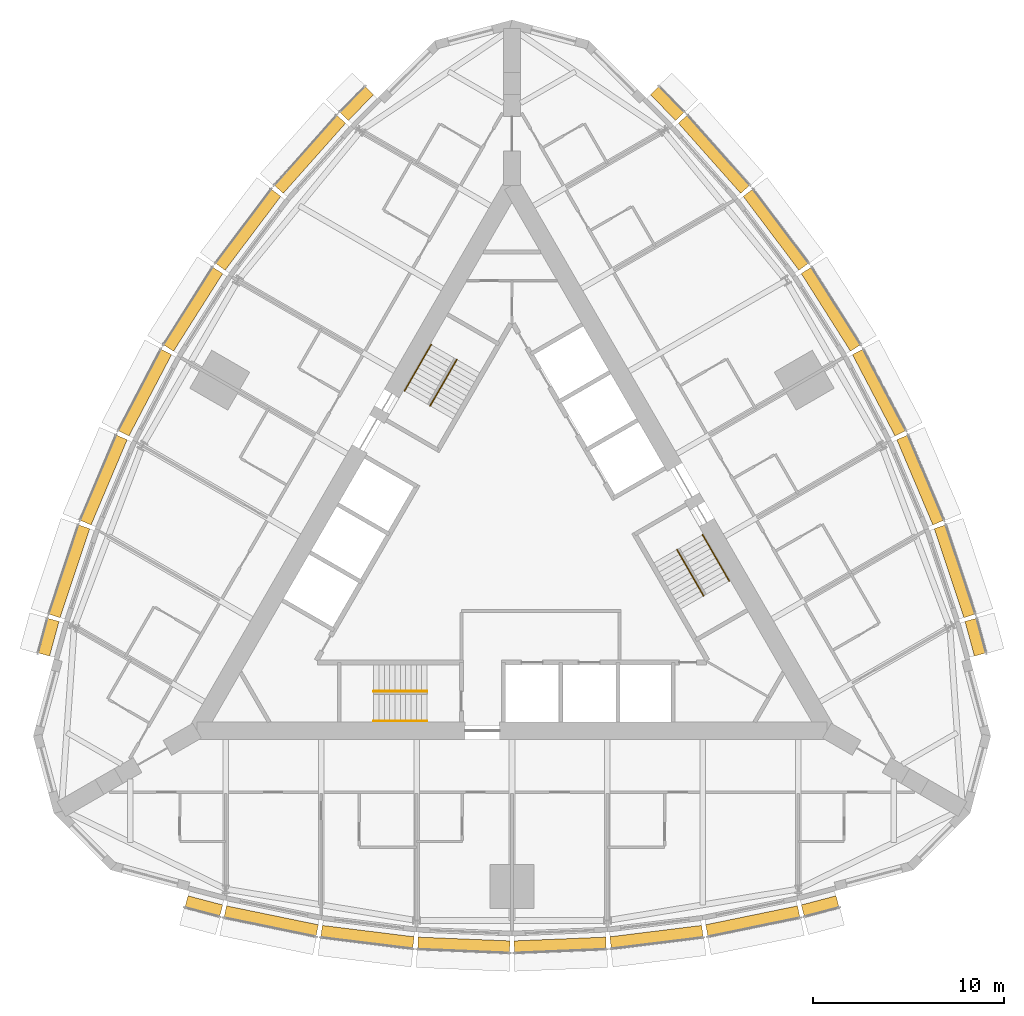
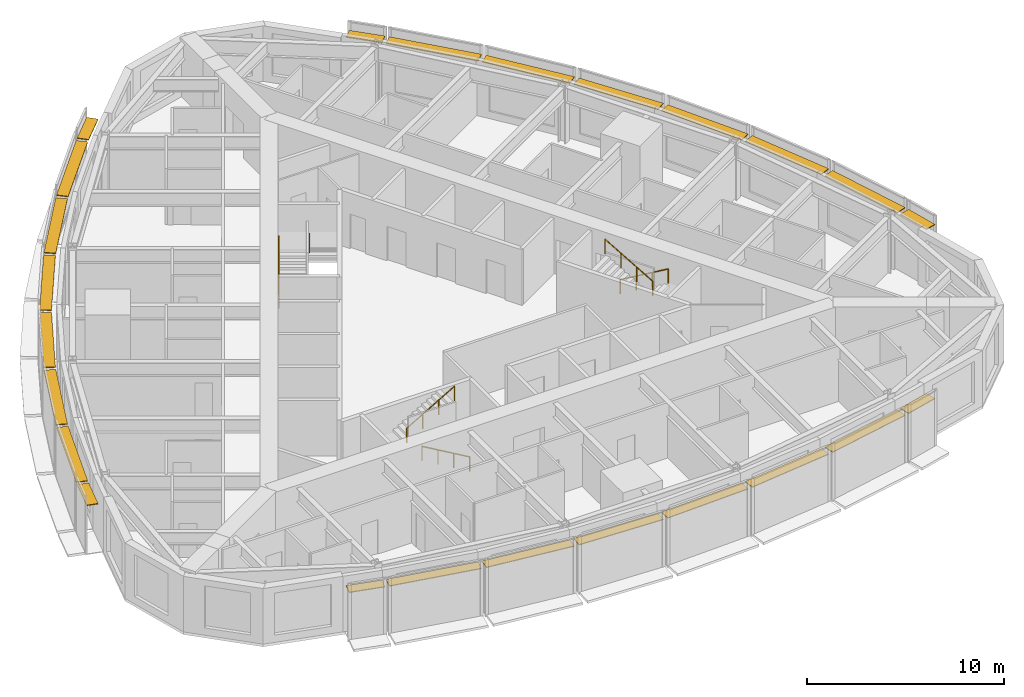
# One storey, part 15 of 15: 24 shading devices, 6 railings.
"""IFC4 building model written with IfcOpenShell, lengths in metres."""

import ifcopenshell
import ifcopenshell.guid

model = None  # the IFC model being written
_history = None  # IfcOwnerHistory: only IFC2X3 demands one
_inside = {}  # id of a spatial element -> (the spatial element, [elements in it])
_under = {}  # id of a project, library or spatial element -> (it, [spatial elements below it])
_declared = {}  # id of a project -> (the project, [libraries it declares])
_typed = {}  # id of a type object -> (the type object, [elements of that type])
_made_of = {}  # id of a material, layer set ... -> (it, [elements and type objects made of it])


def new_model(schema):
    """Start an empty IFC model of exactly this schema.

    Asked for "IFC4X3", IfcOpenShell would pick the latest addendum, in which some entities
    have other attributes; the version numbers below select the first issue.
    IFC2X3 requires an IfcOwnerHistory on every rooted entity: one is made here for all.
    """
    global model, _history
    if schema == "IFC4X3":
        model = ifcopenshell.file(schema_version=(4, 3, 0, 0))
    else:
        model = ifcopenshell.file(schema=schema)
    _inside.clear()
    _under.clear()
    _declared.clear()
    _typed.clear()
    _made_of.clear()
    _history = None
    if model.schema == "IFC2X3":
        org = make("IfcOrganization", Name="unknown")
        user = make(
            "IfcPersonAndOrganization",
            ThePerson=make("IfcPerson", FamilyName="unknown"),
            TheOrganization=org,
        )
        app = make(
            "IfcApplication",
            ApplicationDeveloper=org,
            Version="unknown",
            ApplicationFullName="unknown",
            ApplicationIdentifier="unknown",
        )
        _history = make(
            "IfcOwnerHistory",
            OwningUser=user,
            OwningApplication=app,
            ChangeAction="ADDED",
            CreationDate=0,
        )
    return model


def make(cls, **values):
    """One entity of the class cls with the attributes given. An attribute that is None is left unset."""
    return model.create_entity(
        cls, **{name: value for name, value in values.items() if value is not None}
    )


def rooted(cls, **values):
    """An entity with a GlobalId (a new one), such as an element, a storey or a relation."""
    return make(cls, GlobalId=ifcopenshell.guid.new(), OwnerHistory=_history, **values)


def si_unit(unit_type, name, prefix=None):
    """IfcSIUnit, for example si_unit("LENGTHUNIT", "METRE", prefix="MILLI")."""
    return make("IfcSIUnit", UnitType=unit_type, Prefix=prefix, Name=name)


def assignment(units):
    """IfcUnitAssignment: the units of a project."""
    return None if units is None else make("IfcUnitAssignment", Units=units)


def point(xyz):
    """IfcCartesianPoint."""
    return None if xyz is None else make("IfcCartesianPoint", Coordinates=xyz)


def direction(xyz):
    """IfcDirection."""
    return None if xyz is None else make("IfcDirection", DirectionRatios=xyz)


def frame(location, z_axis=None, x_axis=None):
    """IfcAxis2Placement3D, a coordinate frame: its origin and axes. An axis left out is left unset."""
    return make(
        "IfcAxis2Placement3D",
        Location=point(location),
        Axis=direction(z_axis),
        RefDirection=direction(x_axis),
    )


def frame_2d(location, x_axis=None):
    """IfcAxis2Placement2D, a coordinate frame in the plane: its origin and x axis."""
    return make(
        "IfcAxis2Placement2D", Location=point(location), RefDirection=direction(x_axis)
    )


def origin():
    """The frame at (0, 0, 0) with its axes left unset."""
    return frame((0.0, 0.0, 0.0))


def origin_2d():
    """The frame at (0, 0) in the plane with its x axis left unset."""
    return frame_2d((0.0, 0.0))


def place(relative_to, where):
    """IfcLocalPlacement: puts the frame where relative to a parent placement (None: the world)."""
    return make(
        "IfcLocalPlacement", PlacementRelTo=relative_to, RelativePlacement=where
    )


def context(
    kind, dimensions, precision=None, world=None, true_north=None, identifier=None
):
    """IfcGeometricRepresentationContext, for example the 3D "Model" context."""
    return make(
        "IfcGeometricRepresentationContext",
        ContextIdentifier=identifier,
        ContextType=kind,
        CoordinateSpaceDimension=dimensions,
        Precision=precision,
        WorldCoordinateSystem=world,
        TrueNorth=true_north,
    )


def subcontext(parent, identifier, kind, view, scale=None):
    """IfcGeometricRepresentationSubContext, for example "Body" below "Model"."""
    return make(
        "IfcGeometricRepresentationSubContext",
        ContextIdentifier=identifier,
        ContextType=kind,
        ParentContext=parent,
        TargetScale=scale,
        TargetView=view,
    )


def project(units=None, contexts=None):
    """IfcProject with its units and contexts."""
    return rooted(
        "IfcProject",
        Name="project",
        RepresentationContexts=contexts,
        UnitsInContext=assignment(units),
    )


def spatial(cls, under=None, at=None, **own):
    """A site, building, storey or space (cls), placed at a placement, below another one or the project."""
    s = rooted(cls, ObjectPlacement=at, **own)
    if under is not None:
        _under.setdefault(under.id(), (under, []))[1].append(s)
    return s


def profile(cls, at=None, kind="AREA", **sizes):
    """A parametric profile (cls). Its sizes go by their IFC names, for example OverallWidth=200.0."""
    return make(cls, ProfileType=kind, Position=at, **sizes)


def rectangle(**sizes):
    """IfcRectangleProfileDef."""
    return profile("IfcRectangleProfileDef", **sizes)


def circle(**sizes):
    """IfcCircleProfileDef."""
    return profile("IfcCircleProfileDef", **sizes)


def extrude(swept, where, along, depth):
    """IfcExtrudedAreaSolid: the profile swept, set in the frame where, extruded along a direction by depth."""
    return make(
        "IfcExtrudedAreaSolid",
        SweptArea=swept,
        Position=where,
        ExtrudedDirection=direction(along),
        Depth=depth,
    )


def shape(context_of_items, identifier, shape_type, items):
    """IfcShapeRepresentation: the items that make up one representation, for example the "Body"."""
    return make(
        "IfcShapeRepresentation",
        ContextOfItems=context_of_items,
        RepresentationIdentifier=identifier,
        RepresentationType=shape_type,
        Items=items,
    )


def material(Name=None, Category=None):
    """IfcMaterial."""
    return make("IfcMaterial", Name=Name, Category=Category)


def made_of(thing, what):
    """Note that an element or type object is made of a material, layer set ...; save() writes the relation."""
    if what is not None:
        _made_of.setdefault(what.id(), (what, []))[1].append(thing)
    return thing


def type_object(cls, material=None, **own):
    """A type object (cls), such as IfcWallType, which elements share."""
    return made_of(rooted(cls, **own), material)


def element(
    cls,
    number,
    at=None,
    inside=None,
    cuts=None,
    type_object=None,
    material=None,
    context=None,
    identifier="Body",
    shape_type=None,
    held_by="IfcProductDefinitionShape",
    body=None,
    shapes=None,
    **own,
):
    """One element of the class cls, such as IfcWall. Its Tag is "e" and its number.

    at: its placement. inside: the storey or other place that contains it. cuts: it is an
    opening in that element (IfcRelVoidsElement). A single representation is given by context,
    identifier, shape_type and body (its items); several are given by shapes. held_by: the class
    of the entity that holds the representations. save() writes the other relations.
    """
    e = rooted(cls, Tag="e%d" % number, ObjectPlacement=at, **own)
    if body is not None:
        shapes = [shape(context, identifier, shape_type, body)]
    if shapes is not None:
        e.Representation = make(held_by, Representations=shapes)
    if inside is not None:
        _inside.setdefault(inside.id(), (inside, []))[1].append(e)
    if cuts is not None:
        rooted(
            "IfcRelVoidsElement", RelatingBuildingElement=cuts, RelatedOpeningElement=e
        )
    if type_object is not None:
        _typed.setdefault(type_object.id(), (type_object, []))[1].append(e)
    return made_of(e, material)


def aggregate(whole, parts):
    """IfcRelAggregates: a whole, such as a stair, and the parts it consists of."""
    return rooted("IfcRelAggregates", RelatingObject=whole, RelatedObjects=parts)


def save(model, path):
    """Write the relations noted so far, then the file.

    IfcRelAggregates (storeys below a building ...), IfcRelContainedInSpatialStructure (elements
    in a storey), IfcRelDefinesByType, IfcRelAssociatesMaterial and IfcRelDeclares: one each for
    every whole, place, type object, material and project.
    """
    for whole, parts in _under.values():
        aggregate(whole, parts)
    for where, things in _inside.values():
        rooted(
            "IfcRelContainedInSpatialStructure",
            RelatedElements=things,
            RelatingStructure=where,
        )
    for kind, things in _typed.values():
        rooted("IfcRelDefinesByType", RelatedObjects=things, RelatingType=kind)
    for what, things in _made_of.values():
        rooted("IfcRelAssociatesMaterial", RelatedObjects=things, RelatingMaterial=what)
    for by, libraries in _declared.values():
        rooted("IfcRelDeclares", RelatingContext=by, RelatedDefinitions=libraries)
    model.write(path)


model = new_model("IFC4")

# Units and contexts
model_context = context("Model", 3, precision=1e-05, world=origin(), true_north=direction((0.0, 1.0)))
body_context = subcontext(model_context, "Body", "Model", "MODEL_VIEW")
ifc_project = project(units=[si_unit("LENGTHUNIT", "METRE"), si_unit("AREAUNIT", "SQUARE_METRE"), si_unit("VOLUMEUNIT", "CUBIC_METRE"), si_unit("PLANEANGLEUNIT", "RADIAN"), si_unit("MASSUNIT", "GRAM", prefix="KILO")], contexts=[model_context])

# Site, building, storey
site_placement = place(None, origin())
site = spatial("IfcSite", under=ifc_project, at=site_placement, CompositionType="ELEMENT")
building_placement = place(site_placement, origin())
building = spatial("IfcBuilding", under=site, at=building_placement, Name="Trikona Tower", CompositionType="ELEMENT")
storey_placement = place(building_placement, frame((0.0, 0.0, 200.89990234375)))
storey = spatial("IfcBuildingStorey", under=building, at=storey_placement, Name="L53", CompositionType="ELEMENT", Elevation=200.89990234375)

# Shading devices
ifc_material_1 = material(Name="Aluminium louvre blade, pale anodised", Category="aluminium")
shading_device_type = type_object("IfcShadingDeviceType", Name="Cavity louvre 600", PredefinedType="USERDEFINED", material=ifc_material_1)
shading_device_1_placement = place(storey_placement, frame((-16.14404296875, -18.707763671875, 2.97509765625), z_axis=(0.0, 0.0, 1.0), x_axis=(0.966993038714, -0.254802792527, 0.0)))
element("IfcShadingDevice", 1, at=shading_device_1_placement, inside=storey, type_object=shading_device_type, Name="Cavity louvre L53-00", ObjectType="LOUVRE", PredefinedType="USERDEFINED", context=body_context, shape_type="SweptSolid", body=[
    extrude(rectangle(XDim=1.87841796875, YDim=0.60009765625, at=origin_2d()), origin(), (0.0, 0.0, 1.0), 0.050048828125),
])
shading_device_2_placement = place(storey_placement, frame((-12.614013671875, -19.492919921875, 2.97509765625), z_axis=(0.0, 0.0, 1.0), x_axis=(0.979457514864, -0.201650629992, 0.0)))
element("IfcShadingDevice", 2, at=shading_device_2_placement, inside=storey, type_object=shading_device_type, Name="Cavity louvre L53-01", ObjectType="LOUVRE", PredefinedType="USERDEFINED", context=body_context, shape_type="SweptSolid", body=[
    extrude(rectangle(XDim=4.914794921875, YDim=0.60009765625, at=origin_2d()), origin(), (0.0, 0.0, 1.0), 0.050048828125),
])
shading_device_3_placement = place(storey_placement, frame((-7.5693359375, -20.323974609375, 2.97509765625), z_axis=(0.0, 0.0, 1.0), x_axis=(0.992455266199, -0.122607277901, 0.0)))
element("IfcShadingDevice", 3, at=shading_device_3_placement, inside=storey, type_object=shading_device_type, Name="Cavity louvre L53-02", ObjectType="LOUVRE", PredefinedType="USERDEFINED", context=body_context, shape_type="SweptSolid", body=[
    extrude(rectangle(XDim=4.847900390625, YDim=0.60009765625, at=origin_2d()), origin(), (0.0, 0.0, 1.0), 0.050048828125),
])
for number, where, z_axis, x_axis, name in (
    (4, (-2.523193359375, -20.739501953125, 2.97509765625), (0.0, 0.0, 1.0), (0.999153186307, -0.041144991109, 0.0), "Cavity louvre L53-03"),
    (5, (2.523193359375, -20.739501953125, 2.97509765625), (0.0, 0.0, 1.0), (0.999153186307, 0.041144991109, 0.0), "Cavity louvre L53-04"),
):
    element("IfcShadingDevice", number, at=place(storey_placement, frame(where, z_axis=z_axis, x_axis=x_axis)), inside=storey, type_object=shading_device_type, Name=name, ObjectType="LOUVRE", PredefinedType="USERDEFINED", context=body_context, shape_type="SweptSolid", body=[
        extrude(rectangle(XDim=4.814208984375, YDim=0.60009765625, at=origin_2d()), origin(), (0.0, 0.0, 1.0), 0.050048828125),
    ])
shading_device_4_placement = place(storey_placement, frame((7.5693359375, -20.323974609375, 2.97509765625), z_axis=(0.0, 0.0, 1.0), x_axis=(0.992455266199, 0.122607277901, 0.0)))
element("IfcShadingDevice", 6, at=shading_device_4_placement, inside=storey, type_object=shading_device_type, Name="Cavity louvre L53-05", ObjectType="LOUVRE", PredefinedType="USERDEFINED", context=body_context, shape_type="SweptSolid", body=[
    extrude(rectangle(XDim=4.847900390625, YDim=0.60009765625, at=origin_2d()), origin(), (0.0, 0.0, 1.0), 0.050048828125),
])
shading_device_5_placement = place(storey_placement, frame((12.614013671875, -19.492919921875, 2.97509765625), z_axis=(0.0, 0.0, 1.0), x_axis=(0.979457514864, 0.201650629992, 0.0)))
element("IfcShadingDevice", 7, at=shading_device_5_placement, inside=storey, type_object=shading_device_type, Name="Cavity louvre L53-06", ObjectType="LOUVRE", PredefinedType="USERDEFINED", context=body_context, shape_type="SweptSolid", body=[
    extrude(rectangle(XDim=4.914794921875, YDim=0.60009765625, at=origin_2d()), origin(), (0.0, 0.0, 1.0), 0.050048828125),
])
for number, where, z_axis, x_axis, name in (
    (8, (16.14404296875, -18.707763671875, 2.97509765625), (0.0, 0.0, 1.0), (0.966993038714, 0.254802792527, 0.0), "Cavity louvre L53-07"),
    (9, (24.273193359375, -4.627197265625, 2.97509765625), (0.0, 0.0, 1.0), (-0.262822408229, 0.964844226667, 0.0), "Cavity louvre L53-12"),
):
    element("IfcShadingDevice", number, at=place(storey_placement, frame(where, z_axis=z_axis, x_axis=x_axis)), inside=storey, type_object=shading_device_type, Name=name, ObjectType="LOUVRE", PredefinedType="USERDEFINED", context=body_context, shape_type="SweptSolid", body=[
        extrude(rectangle(XDim=1.87841796875, YDim=0.60009765625, at=origin_2d()), origin(), (0.0, 0.0, 1.0), 0.050048828125),
    ])
shading_device_6_placement = place(storey_placement, frame((23.1884765625, -1.177490234375, 2.97509765625), z_axis=(0.0, 0.0, 1.0), x_axis=(-0.315092532747, 0.949060954737, 0.0)))
element("IfcShadingDevice", 10, at=shading_device_6_placement, inside=storey, type_object=shading_device_type, Name="Cavity louvre L53-13", ObjectType="LOUVRE", PredefinedType="USERDEFINED", context=body_context, shape_type="SweptSolid", body=[
    extrude(rectangle(XDim=4.914794921875, YDim=0.60009765625, at=origin_2d()), origin(), (0.0, 0.0, 1.0), 0.050048828125),
])
shading_device_7_placement = place(storey_placement, frame((21.385498046875, 3.606689453125, 2.97509765625), z_axis=(0.0, 0.0, 1.0), x_axis=(-0.390051437015, 0.920793069306, 0.0)))
element("IfcShadingDevice", 11, at=shading_device_7_placement, inside=storey, type_object=shading_device_type, Name="Cavity louvre L53-14", ObjectType="LOUVRE", PredefinedType="USERDEFINED", context=body_context, shape_type="SweptSolid", body=[
    extrude(rectangle(XDim=4.847900390625, YDim=0.60009765625, at=origin_2d()), origin(), (0.0, 0.0, 1.0), 0.050048828125),
])
for number, where, z_axis, x_axis, name in (
    (12, (19.222412109375, 8.1845703125, 2.97509765625), (0.0, 0.0, 1.0), (-0.463951716224, 0.885860488459, 0.0), "Cavity louvre L53-15"),
    (13, (16.69921875, 12.554931640625, 2.97509765625), (0.0, 0.0, 1.0), (-0.535204777743, 0.844722348397, 0.0), "Cavity louvre L53-16"),
):
    element("IfcShadingDevice", number, at=place(storey_placement, frame(where, z_axis=z_axis, x_axis=x_axis)), inside=storey, type_object=shading_device_type, Name=name, ObjectType="LOUVRE", PredefinedType="USERDEFINED", context=body_context, shape_type="SweptSolid", body=[
        extrude(rectangle(XDim=4.814208984375, YDim=0.60009765625, at=origin_2d()), origin(), (0.0, 0.0, 1.0), 0.050048828125),
    ])
shading_device_8_placement = place(storey_placement, frame((13.81640625, 16.717041015625, 2.97509765625), z_axis=(0.0, 0.0, 1.0), x_axis=(-0.602401684924, 0.798193090674, 0.0)))
element("IfcShadingDevice", 14, at=shading_device_8_placement, inside=storey, type_object=shading_device_type, Name="Cavity louvre L53-17", ObjectType="LOUVRE", PredefinedType="USERDEFINED", context=body_context, shape_type="SweptSolid", body=[
    extrude(rectangle(XDim=4.847900390625, YDim=0.60009765625, at=origin_2d()), origin(), (0.0, 0.0, 1.0), 0.050048828125),
])
shading_device_9_placement = place(storey_placement, frame((10.574462890625, 20.67041015625, 2.97509765625), z_axis=(0.0, 0.0, 1.0), x_axis=(-0.664367239113, 0.747406296196, 0.0)))
element("IfcShadingDevice", 15, at=shading_device_9_placement, inside=storey, type_object=shading_device_type, Name="Cavity louvre L53-18", ObjectType="LOUVRE", PredefinedType="USERDEFINED", context=body_context, shape_type="SweptSolid", body=[
    extrude(rectangle(XDim=4.914794921875, YDim=0.60009765625, at=origin_2d()), origin(), (0.0, 0.0, 1.0), 0.050048828125),
])
for number, where, z_axis, x_axis, name in (
    (16, (8.12939453125, 23.3349609375, 2.97509765625), (0.0, 0.0, 1.0), (-0.704151057285, 0.710050201412, 0.0), "Cavity louvre L53-19"),
    (17, (-8.12939453125, 23.3349609375, 2.97509765625), (0.0, 0.0, 1.0), (-0.704151057285, -0.710050201412, 0.0), "Cavity louvre L53-24"),
):
    element("IfcShadingDevice", number, at=place(storey_placement, frame(where, z_axis=z_axis, x_axis=x_axis)), inside=storey, type_object=shading_device_type, Name=name, ObjectType="LOUVRE", PredefinedType="USERDEFINED", context=body_context, shape_type="SweptSolid", body=[
        extrude(rectangle(XDim=1.87841796875, YDim=0.60009765625, at=origin_2d()), origin(), (0.0, 0.0, 1.0), 0.050048828125),
    ])
shading_device_10_placement = place(storey_placement, frame((-10.574462890625, 20.67041015625, 2.97509765625), z_axis=(0.0, 0.0, 1.0), x_axis=(-0.664367239113, -0.747406296196, 0.0)))
element("IfcShadingDevice", 18, at=shading_device_10_placement, inside=storey, type_object=shading_device_type, Name="Cavity louvre L53-25", ObjectType="LOUVRE", PredefinedType="USERDEFINED", context=body_context, shape_type="SweptSolid", body=[
    extrude(rectangle(XDim=4.914794921875, YDim=0.60009765625, at=origin_2d()), origin(), (0.0, 0.0, 1.0), 0.050048828125),
])
shading_device_11_placement = place(storey_placement, frame((-13.81640625, 16.717041015625, 2.97509765625), z_axis=(0.0, 0.0, 1.0), x_axis=(-0.602401684924, -0.798193090674, 0.0)))
element("IfcShadingDevice", 19, at=shading_device_11_placement, inside=storey, type_object=shading_device_type, Name="Cavity louvre L53-26", ObjectType="LOUVRE", PredefinedType="USERDEFINED", context=body_context, shape_type="SweptSolid", body=[
    extrude(rectangle(XDim=4.847900390625, YDim=0.60009765625, at=origin_2d()), origin(), (0.0, 0.0, 1.0), 0.050048828125),
])
for number, where, z_axis, x_axis, name in (
    (20, (-16.69921875, 12.554931640625, 2.97509765625), (0.0, 0.0, 1.0), (-0.535204777743, -0.844722348397, 0.0), "Cavity louvre L53-27"),
    (21, (-19.222412109375, 8.1845703125, 2.97509765625), (0.0, 0.0, 1.0), (-0.463951716224, -0.885860488459, 0.0), "Cavity louvre L53-28"),
):
    element("IfcShadingDevice", number, at=place(storey_placement, frame(where, z_axis=z_axis, x_axis=x_axis)), inside=storey, type_object=shading_device_type, Name=name, ObjectType="LOUVRE", PredefinedType="USERDEFINED", context=body_context, shape_type="SweptSolid", body=[
        extrude(rectangle(XDim=4.814208984375, YDim=0.60009765625, at=origin_2d()), origin(), (0.0, 0.0, 1.0), 0.050048828125),
    ])
shading_device_12_placement = place(storey_placement, frame((-21.385498046875, 3.606689453125, 2.97509765625), z_axis=(0.0, 0.0, 1.0), x_axis=(-0.390051437015, -0.920793069306, 0.0)))
element("IfcShadingDevice", 22, at=shading_device_12_placement, inside=storey, type_object=shading_device_type, Name="Cavity louvre L53-29", ObjectType="LOUVRE", PredefinedType="USERDEFINED", context=body_context, shape_type="SweptSolid", body=[
    extrude(rectangle(XDim=4.847900390625, YDim=0.60009765625, at=origin_2d()), origin(), (0.0, 0.0, 1.0), 0.050048828125),
])
shading_device_13_placement = place(storey_placement, frame((-23.1884765625, -1.177490234375, 2.97509765625), z_axis=(0.0, 0.0, 1.0), x_axis=(-0.315092532747, -0.949060954737, 0.0)))
element("IfcShadingDevice", 23, at=shading_device_13_placement, inside=storey, type_object=shading_device_type, Name="Cavity louvre L53-30", ObjectType="LOUVRE", PredefinedType="USERDEFINED", context=body_context, shape_type="SweptSolid", body=[
    extrude(rectangle(XDim=4.914794921875, YDim=0.60009765625, at=origin_2d()), origin(), (0.0, 0.0, 1.0), 0.050048828125),
])
shading_device_14_placement = place(storey_placement, frame((-24.273193359375, -4.627197265625, 2.97509765625), z_axis=(0.0, 0.0, 1.0), x_axis=(-0.262822408229, -0.964844226667, 0.0)))
element("IfcShadingDevice", 24, at=shading_device_14_placement, inside=storey, type_object=shading_device_type, Name="Cavity louvre L53-31", ObjectType="LOUVRE", PredefinedType="USERDEFINED", context=body_context, shape_type="SweptSolid", body=[
    extrude(rectangle(XDim=1.87841796875, YDim=0.60009765625, at=origin_2d()), origin(), (0.0, 0.0, 1.0), 0.050048828125),
])

# Railings
ifc_material_2 = material(Name="Stainless steel handrail", Category="steel")
railing_type = type_object("IfcRailingType", Name="Stair handrail", PredefinedType="HANDRAIL", material=ifc_material_2)
railing_1_placement = place(storey_placement, frame((-4.449951171875, -9.016357421875, 0.163818359375)))
element("IfcRailing", 25, at=railing_1_placement, inside=storey, type_object=railing_type, Name="Stair handrail A L53 1", PredefinedType="HANDRAIL", context=body_context, shape_type="SweptSolid", body=[
    extrude(circle(Radius=0.02392578125, at=origin_2d()), frame((0.0, 0.0, 0.8759765625), z_axis=(-0.863393664356, 0.0, 0.504530851732), x_axis=(0.0, -1.0, 0.0)), (0.0, 0.0, 1.0), 3.2431640625),
    extrude(circle(Radius=0.02099609375, at=origin_2d()), origin(), (0.0, 0.0, 1.0), 0.851806640625),
    extrude(circle(Radius=0.02099609375, at=origin_2d()), frame((-0.933349609375, 0.0, 0.54541015625)), (0.0, 0.0, 1.0), 0.851806640625),
    extrude(circle(Radius=0.02099609375, at=origin_2d()), frame((-1.86669921875, 0.0, 1.0908203125)), (0.0, 0.0, 1.0), 0.851806640625),
    extrude(circle(Radius=0.02099609375, at=origin_2d()), frame((-2.800048828125, 0.0, 1.63623046875)), (0.0, 0.0, 1.0), 0.851806640625),
])
railing_2_placement = place(storey_placement, frame((-7.25, -7.46630859375, 1.963623046875)))
element("IfcRailing", 26, at=railing_2_placement, inside=storey, type_object=railing_type, Name="Stair handrail A L53 2", PredefinedType="HANDRAIL", context=body_context, shape_type="SweptSolid", body=[
    extrude(circle(Radius=0.02392578125, at=origin_2d()), frame((0.0, 0.0, 0.8759765625), z_axis=(0.863360870873, 0.0, 0.504586966384), x_axis=(0.0, 1.0, 0.0)), (0.0, 0.0, 1.0), 3.2431640625),
    extrude(circle(Radius=0.02099609375, at=origin_2d()), origin(), (0.0, 0.0, 1.0), 0.851806640625),
    extrude(circle(Radius=0.02099609375, at=origin_2d()), frame((0.933349609375, 0.0, 0.54541015625)), (0.0, 0.0, 1.0), 0.851806640625),
    extrude(circle(Radius=0.02099609375, at=origin_2d()), frame((1.86669921875, 0.0, 1.091064453125)), (0.0, 0.0, 1.0), 0.851806640625),
    extrude(circle(Radius=0.02099609375, at=origin_2d()), frame((2.800048828125, 0.0, 1.636474609375)), (0.0, 0.0, 1.0), 0.851806640625),
])
railing_3_placement = place(storey_placement, frame((9.9833984375, 0.740966796875, 0.163818359375)))
element("IfcRailing", 27, at=railing_3_placement, inside=storey, type_object=railing_type, Name="Stair handrail B L53 1", PredefinedType="HANDRAIL", context=body_context, shape_type="SweptSolid", body=[
    extrude(circle(Radius=0.02392578125, at=origin_2d()), frame((0.0, 0.0, 0.8759765625), z_axis=(0.43165272891, -0.747751404999, 0.504523297725), x_axis=(0.866056369097, 0.49994636267, 0.0)), (0.0, 0.0, 1.0), 3.2431640625),
    extrude(circle(Radius=0.02099609375, at=origin_2d()), origin(), (0.0, 0.0, 1.0), 0.851806640625),
    extrude(circle(Radius=0.02099609375, at=origin_2d()), frame((0.466552734375, -0.808349609375, 0.54541015625)), (0.0, 0.0, 1.0), 0.851806640625),
    extrude(circle(Radius=0.02099609375, at=origin_2d()), frame((0.933349609375, -1.61669921875, 1.0908203125)), (0.0, 0.0, 1.0), 0.851806640625),
    extrude(circle(Radius=0.02099609375, at=origin_2d()), frame((1.39990234375, -2.425048828125, 1.63623046875)), (0.0, 0.0, 1.0), 0.851806640625),
])
railing_4_placement = place(storey_placement, frame((10.041015625, -2.458984375, 1.963623046875)))
element("IfcRailing", 28, at=railing_4_placement, inside=storey, type_object=railing_type, Name="Stair handrail B L53 2", PredefinedType="HANDRAIL", context=body_context, shape_type="SweptSolid", body=[
    extrude(circle(Radius=0.02392578125, at=origin_2d()), frame((0.0, 0.0, 0.8759765625), z_axis=(-0.431636334334, 0.747723004699, 0.504579412111), x_axis=(-0.866056369097, -0.49994636267, 0.0)), (0.0, 0.0, 1.0), 3.2431640625),
    extrude(circle(Radius=0.02099609375, at=origin_2d()), origin(), (0.0, 0.0, 1.0), 0.851806640625),
    extrude(circle(Radius=0.02099609375, at=origin_2d()), frame((-0.466552734375, 0.808349609375, 0.54541015625)), (0.0, 0.0, 1.0), 0.851806640625),
    extrude(circle(Radius=0.02099609375, at=origin_2d()), frame((-0.933349609375, 1.61669921875, 1.091064453125)), (0.0, 0.0, 1.0), 0.851806640625),
    extrude(circle(Radius=0.02099609375, at=origin_2d()), frame((-1.39990234375, 2.425048828125, 1.636474609375)), (0.0, 0.0, 1.0), 0.851806640625),
])
railing_5_placement = place(storey_placement, frame((-5.63330078125, 8.275390625, 0.163818359375)))
element("IfcRailing", 29, at=railing_5_placement, inside=storey, type_object=railing_type, Name="Stair handrail C L53 1", PredefinedType="HANDRAIL", context=body_context, shape_type="SweptSolid", body=[
    extrude(circle(Radius=0.02392578125, at=origin_2d()), frame((0.0, 0.0, 0.8759765625), z_axis=(0.431677027627, 0.74771821388, 0.504551698492), x_axis=(-0.866034573852, 0.49998411664, 0.0)), (0.0, 0.0, 1.0), 3.242919921875),
    extrude(circle(Radius=0.02099609375, at=origin_2d()), origin(), (0.0, 0.0, 1.0), 0.851806640625),
    extrude(circle(Radius=0.02099609375, at=origin_2d()), frame((0.466552734375, 0.808349609375, 0.54541015625)), (0.0, 0.0, 1.0), 0.851806640625),
    extrude(circle(Radius=0.02099609375, at=origin_2d()), frame((0.933349609375, 1.616455078125, 1.0908203125)), (0.0, 0.0, 1.0), 0.851806640625),
    extrude(circle(Radius=0.02099609375, at=origin_2d()), frame((1.39990234375, 2.4248046875, 1.63623046875)), (0.0, 0.0, 1.0), 0.851806640625),
])
railing_6_placement = place(storey_placement, frame((-2.89111328125, 9.92529296875, 1.963623046875)))
element("IfcRailing", 30, at=railing_6_placement, inside=storey, type_object=railing_type, Name="Stair handrail C L53 2", PredefinedType="HANDRAIL", context=body_context, shape_type="SweptSolid", body=[
    extrude(circle(Radius=0.02392578125, at=origin_2d()), frame((0.0, 0.0, 0.8759765625), z_axis=(-0.431636334334, -0.747723004699, 0.504579412111), x_axis=(0.866056369097, -0.49994636267, 0.0)), (0.0, 0.0, 1.0), 3.2431640625),
    extrude(circle(Radius=0.02099609375, at=origin_2d()), origin(), (0.0, 0.0, 1.0), 0.851806640625),
    extrude(circle(Radius=0.02099609375, at=origin_2d()), frame((-0.466552734375, -0.808349609375, 0.54541015625)), (0.0, 0.0, 1.0), 0.851806640625),
    extrude(circle(Radius=0.02099609375, at=origin_2d()), frame((-0.933349609375, -1.61669921875, 1.091064453125)), (0.0, 0.0, 1.0), 0.851806640625),
    extrude(circle(Radius=0.02099609375, at=origin_2d()), frame((-1.39990234375, -2.425048828125, 1.636474609375)), (0.0, 0.0, 1.0), 0.851806640625),
])

save(model, "model.ifc")
